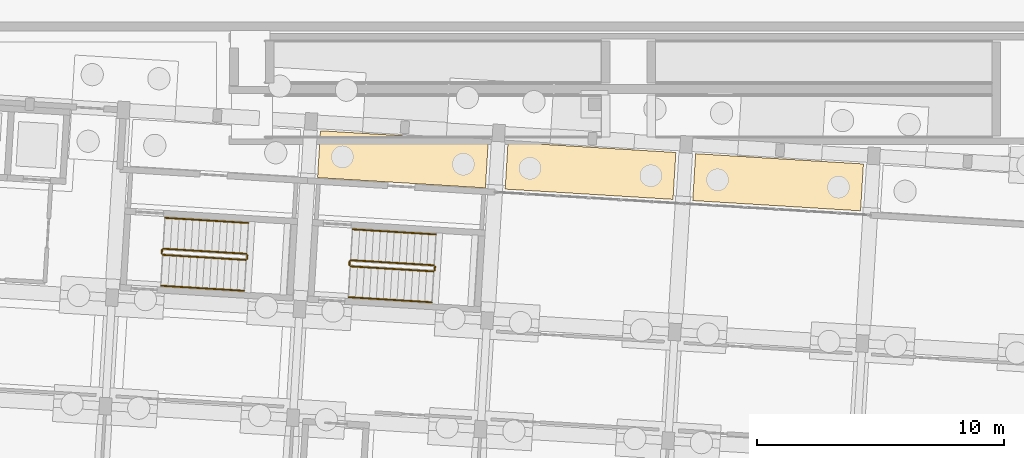
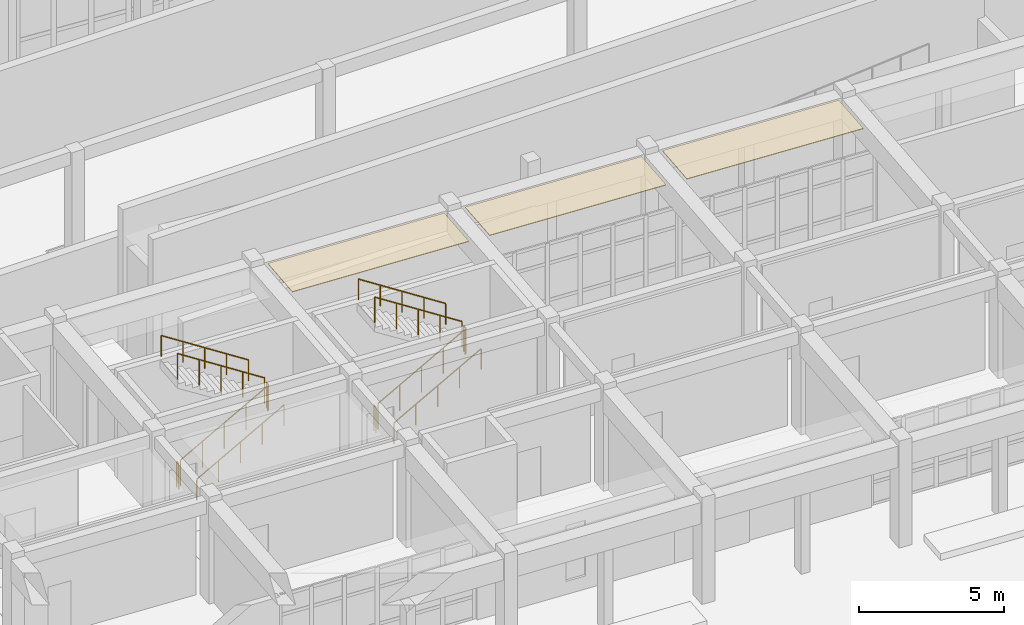
# One storey, part 144 of 154: 12 railings, 3 coverings.
"""IFC4 building model written with IfcOpenShell, lengths in metres."""

from ifc_helpers import new_model, si_unit, direction, frame, origin, origin_2d, place, context, subcontext, project, spatial, rectangle, circle, extrude, material, layer, layer_set, type_object, element, save


model = new_model("IFC4")

# Units and contexts
model_context = context("Model", 3, precision=1e-05, world=origin(), true_north=direction((0.0, 1.0)))
body_context = subcontext(model_context, "Body", "Model", "MODEL_VIEW")
ifc_project = project(units=[si_unit("LENGTHUNIT", "METRE"), si_unit("AREAUNIT", "SQUARE_METRE"), si_unit("VOLUMEUNIT", "CUBIC_METRE"), si_unit("PLANEANGLEUNIT", "RADIAN"), si_unit("MASSUNIT", "GRAM", prefix="KILO")], contexts=[model_context])

# Site, building, storey
site_placement = place(None, origin())
site = spatial("IfcSite", under=ifc_project, at=site_placement, CompositionType="ELEMENT")
building_placement = place(site_placement, origin())
building = spatial("IfcBuilding", under=site, at=building_placement, Name="Kestramere Prow Commons", CompositionType="ELEMENT")
storey_placement = place(building_placement, origin())
storey = spatial("IfcBuildingStorey", under=building, at=storey_placement, Name="L00", CompositionType="ELEMENT", Elevation=0.0)

# Coverings
ifc_material_1 = material(Name="Perforated Aluminium Colonnade Soffit Cladding", Category="aluminium")
ifc_layer = layer(ifc_material_1, 0.030029296875)
ifc_layer_set = layer_set([ifc_layer], Name="Perforated Aluminium Colonnade Soffit Cladding")
covering_type = type_object("IfcCoveringType", Name="COV-SOFFIT-ALU", PredefinedType="CLADDING", material=ifc_layer_set)
for number, where, z_axis, x_axis, name in (
    (1, (79.581787109375, 63.60595703125, 4.22021484375), (0.0, 0.0, 1.0), (0.998134798422, -0.061048539535, 0.0), "Block C North Colonnade Soffit Panel 3"),
    (2, (87.16748046875, 63.14208984375, 4.22021484375), (0.0, 0.0, 1.0), (0.998134798422, -0.061048539535, 0.0), "Block C North Colonnade Soffit Panel 4"),
    (3, (94.75341796875, 62.677978515625, 4.22021484375), (0.0, 0.0, 1.0), (0.998134798422, -0.061048539535, 0.0), "Block C North Colonnade Soffit Panel 5"),
):
    element("IfcCovering", number, at=place(storey_placement, frame(where, z_axis=z_axis, x_axis=x_axis)), inside=storey, type_object=covering_type, Name=name, PredefinedType="CLADDING", context=body_context, shape_type="SweptSolid", body=[
        extrude(rectangle(XDim=6.800048828125, YDim=1.89990234375, at=origin_2d()), origin(), (0.0, 0.0, 1.0), 0.030029296875),
    ])

# Railings
ifc_material_2 = material(Name="Galvanised Steel S275JR", Category="steel")
railing_type_1 = type_object("IfcRailingType", Name="RL-ST-GR-1100", PredefinedType="GUARDRAIL", material=ifc_material_2)
railing_1_placement = place(storey_placement, frame((69.877685546875, 59.7412109375, 0.173095703125)))
element("IfcRailing", 4, at=railing_1_placement, inside=storey, type_object=railing_type_1, Name="L00 ST-C1 stair guard 1", PredefinedType="GUARDRAIL", context=body_context, shape_type="SweptSolid", body=[
    extrude(circle(Radius=0.02392578125, at=origin_2d()), frame((0.0, 0.0, 1.076171875), z_axis=(0.849031527735, -0.051917193223, 0.525785193743), x_axis=(0.061034719416, 0.9981356436, 0.0)), (0.0, 0.0, 1.0), 3.9501953125),
    extrude(circle(Radius=0.02099609375, at=origin_2d()), origin(), (0.0, 0.0, 1.0), 1.052001953125),
    extrude(circle(Radius=0.02099609375, at=origin_2d()), frame((0.83837890625, -0.05126953125, 0.519287109375)), (0.0, 0.0, 1.0), 1.052001953125),
    extrude(circle(Radius=0.02099609375, at=origin_2d()), frame((1.6767578125, -0.1025390625, 1.03857421875)), (0.0, 0.0, 1.0), 1.052001953125),
    extrude(circle(Radius=0.02099609375, at=origin_2d()), frame((2.515380859375, -0.15380859375, 1.5576171875)), (0.0, 0.0, 1.0), 1.052001953125),
    extrude(circle(Radius=0.02099609375, at=origin_2d()), frame((3.353759765625, -0.205078125, 2.076904296875)), (0.0, 0.0, 1.0), 1.052001953125),
])
railing_2_placement = place(storey_placement, frame((73.284423828125, 59.582763671875, 2.25)))
element("IfcRailing", 5, at=railing_2_placement, inside=storey, type_object=railing_type_1, Name="L00 ST-C1 stair guard 2", PredefinedType="GUARDRAIL", context=body_context, shape_type="SweptSolid", body=[
    extrude(circle(Radius=0.02392578125, at=origin_2d()), frame((0.0, 0.0, 1.076171875), z_axis=(0.060151470121, 0.998189260933, 0.0), x_axis=(-0.998189260933, 0.060151470121, 0.0)), (0.0, 0.0, 1.0), 0.150146484375),
    extrude(circle(Radius=0.02099609375, at=origin_2d()), origin(), (0.0, 0.0, 1.0), 1.052001953125),
    extrude(circle(Radius=0.02099609375, at=origin_2d()), frame((0.009033203125, 0.14990234375, 0.0)), (0.0, 0.0, 1.0), 1.052001953125),
])
railing_3_placement = place(storey_placement, frame((73.246826171875, 59.78564453125, 2.423095703125)))
element("IfcRailing", 6, at=railing_3_placement, inside=storey, type_object=railing_type_1, Name="L00 ST-C1 stair guard 3", PredefinedType="GUARDRAIL", context=body_context, shape_type="SweptSolid", body=[
    extrude(circle(Radius=0.02392578125, at=origin_2d()), frame((0.0, 0.0, 1.076171875), z_axis=(-0.849031527735, 0.051917193223, 0.525785193743), x_axis=(-0.061034719416, -0.9981356436, 0.0)), (0.0, 0.0, 1.0), 3.9501953125),
    extrude(circle(Radius=0.02099609375, at=origin_2d()), origin(), (0.0, 0.0, 1.0), 1.052001953125),
    extrude(circle(Radius=0.02099609375, at=origin_2d()), frame((-0.83837890625, 0.05126953125, 0.519287109375)), (0.0, 0.0, 1.0), 1.052001953125),
    extrude(circle(Radius=0.02099609375, at=origin_2d()), frame((-1.6767578125, 0.1025390625, 1.03857421875)), (0.0, 0.0, 1.0), 1.052001953125),
    extrude(circle(Radius=0.02099609375, at=origin_2d()), frame((-2.515380859375, 0.15380859375, 1.5576171875)), (0.0, 0.0, 1.0), 1.052001953125),
    extrude(circle(Radius=0.02099609375, at=origin_2d()), frame((-3.353759765625, 0.205078125, 2.076904296875)), (0.0, 0.0, 1.0), 1.052001953125),
])
railing_4_placement = place(storey_placement, frame((69.830810546875, 59.794189453125, 0.0)))
element("IfcRailing", 7, at=railing_4_placement, inside=storey, type_object=railing_type_1, Name="L00 ST-C1 stair guard 4", PredefinedType="GUARDRAIL", context=body_context, shape_type="SweptSolid", body=[
    extrude(circle(Radius=0.02392578125, at=origin_2d()), frame((0.0, 0.0, 1.076171875), z_axis=(0.061871446683, 0.998084126758, 0.0), x_axis=(-0.998084126758, 0.061871446683, 0.0)), (0.0, 0.0, 1.0), 0.14990234375),
    extrude(circle(Radius=0.02099609375, at=origin_2d()), origin(), (0.0, 0.0, 1.0), 1.052001953125),
    extrude(circle(Radius=0.02099609375, at=origin_2d()), frame((0.00927734375, 0.149658203125, 0.0)), (0.0, 0.0, 1.0), 1.052001953125),
])
railing_5_placement = place(storey_placement, frame((77.463623046875, 59.277099609375, 0.173095703125)))
element("IfcRailing", 8, at=railing_5_placement, inside=storey, type_object=railing_type_1, Name="L00 ST-C2 stair guard 1", PredefinedType="GUARDRAIL", context=body_context, shape_type="SweptSolid", body=[
    extrude(circle(Radius=0.02392578125, at=origin_2d()), frame((0.0, 0.0, 1.076171875), z_axis=(0.849031527735, -0.051917193223, 0.525785193743), x_axis=(0.061034719416, 0.9981356436, 0.0)), (0.0, 0.0, 1.0), 3.9501953125),
    extrude(circle(Radius=0.02099609375, at=origin_2d()), origin(), (0.0, 0.0, 1.0), 1.052001953125),
    extrude(circle(Radius=0.02099609375, at=origin_2d()), frame((0.83837890625, -0.05126953125, 0.519287109375)), (0.0, 0.0, 1.0), 1.052001953125),
    extrude(circle(Radius=0.02099609375, at=origin_2d()), frame((1.6767578125, -0.1025390625, 1.03857421875)), (0.0, 0.0, 1.0), 1.052001953125),
    extrude(circle(Radius=0.02099609375, at=origin_2d()), frame((2.515380859375, -0.15380859375, 1.5576171875)), (0.0, 0.0, 1.0), 1.052001953125),
    extrude(circle(Radius=0.02099609375, at=origin_2d()), frame((3.353759765625, -0.205078125, 2.076904296875)), (0.0, 0.0, 1.0), 1.052001953125),
])
railing_6_placement = place(storey_placement, frame((80.8701171875, 59.118896484375, 2.25)))
element("IfcRailing", 9, at=railing_6_placement, inside=storey, type_object=railing_type_1, Name="L00 ST-C2 stair guard 2", PredefinedType="GUARDRAIL", context=body_context, shape_type="SweptSolid", body=[
    extrude(circle(Radius=0.02392578125, at=origin_2d()), frame((0.0, 0.0, 1.076171875), z_axis=(0.061871446683, 0.998084126758, 0.0), x_axis=(-0.998084126758, 0.061871446683, 0.0)), (0.0, 0.0, 1.0), 0.14990234375),
    extrude(circle(Radius=0.02099609375, at=origin_2d()), origin(), (0.0, 0.0, 1.0), 1.052001953125),
    extrude(circle(Radius=0.02099609375, at=origin_2d()), frame((0.00927734375, 0.149658203125, 0.0)), (0.0, 0.0, 1.0), 1.052001953125),
])
railing_7_placement = place(storey_placement, frame((80.83251953125, 59.321533203125, 2.423095703125)))
element("IfcRailing", 10, at=railing_7_placement, inside=storey, type_object=railing_type_1, Name="L00 ST-C2 stair guard 3", PredefinedType="GUARDRAIL", context=body_context, shape_type="SweptSolid", body=[
    extrude(circle(Radius=0.02392578125, at=origin_2d()), frame((0.0, 0.0, 1.076171875), z_axis=(-0.849031527735, 0.051917193223, 0.525785193743), x_axis=(-0.061034719416, -0.9981356436, 0.0)), (0.0, 0.0, 1.0), 3.9501953125),
    extrude(circle(Radius=0.02099609375, at=origin_2d()), origin(), (0.0, 0.0, 1.0), 1.052001953125),
    extrude(circle(Radius=0.02099609375, at=origin_2d()), frame((-0.83837890625, 0.05126953125, 0.519287109375)), (0.0, 0.0, 1.0), 1.052001953125),
    extrude(circle(Radius=0.02099609375, at=origin_2d()), frame((-1.6767578125, 0.1025390625, 1.03857421875)), (0.0, 0.0, 1.0), 1.052001953125),
    extrude(circle(Radius=0.02099609375, at=origin_2d()), frame((-2.515380859375, 0.15380859375, 1.5576171875)), (0.0, 0.0, 1.0), 1.052001953125),
    extrude(circle(Radius=0.02099609375, at=origin_2d()), frame((-3.353759765625, 0.205078125, 2.076904296875)), (0.0, 0.0, 1.0), 1.052001953125),
])
railing_8_placement = place(storey_placement, frame((77.416748046875, 59.330078125, 0.0)))
element("IfcRailing", 11, at=railing_8_placement, inside=storey, type_object=railing_type_1, Name="L00 ST-C2 stair guard 4", PredefinedType="GUARDRAIL", context=body_context, shape_type="SweptSolid", body=[
    extrude(circle(Radius=0.02392578125, at=origin_2d()), frame((0.0, 0.0, 1.076171875), z_axis=(0.060151470121, 0.998189260933, 0.0), x_axis=(-0.998189260933, 0.060151470121, 0.0)), (0.0, 0.0, 1.0), 0.150146484375),
    extrude(circle(Radius=0.02099609375, at=origin_2d()), origin(), (0.0, 0.0, 1.0), 1.052001953125),
    extrude(circle(Radius=0.02099609375, at=origin_2d()), frame((0.009033203125, 0.14990234375, 0.0)), (0.0, 0.0, 1.0), 1.052001953125),
])
ifc_material_3 = material(Name="Stainless Steel 304", Category="steel")
railing_type_2 = type_object("IfcRailingType", Name="RL-ST-HR-900", PredefinedType="HANDRAIL", material=ifc_material_3)
railing_9_placement = place(storey_placement, frame((69.801513671875, 58.493408203125, 0.34619140625)))
element("IfcRailing", 12, at=railing_9_placement, inside=storey, type_object=railing_type_2, Name="L00 ST-C1 stair handrail 1", PredefinedType="HANDRAIL", context=body_context, shape_type="SweptSolid", body=[
    extrude(circle(Radius=0.02392578125, at=origin_2d()), frame((0.0, 0.0, 0.8759765625), z_axis=(0.849014273462, -0.051919917713, 0.525812785697), x_axis=(0.061039146275, 0.998135372894, 0.0)), (0.0, 0.0, 1.0), 3.949951171875),
    extrude(circle(Radius=0.02099609375, at=origin_2d()), origin(), (0.0, 0.0, 1.0), 0.851806640625),
    extrude(circle(Radius=0.02099609375, at=origin_2d()), frame((0.83837890625, -0.05126953125, 0.519287109375)), (0.0, 0.0, 1.0), 0.851806640625),
    extrude(circle(Radius=0.02099609375, at=origin_2d()), frame((1.6767578125, -0.1025390625, 1.03857421875)), (0.0, 0.0, 1.0), 0.851806640625),
    extrude(circle(Radius=0.02099609375, at=origin_2d()), frame((2.51513671875, -0.15380859375, 1.5576171875)), (0.0, 0.0, 1.0), 0.851806640625),
    extrude(circle(Radius=0.02099609375, at=origin_2d()), frame((3.353515625, -0.205078125, 2.076904296875)), (0.0, 0.0, 1.0), 0.851806640625),
])
railing_10_placement = place(storey_placement, frame((73.322998046875, 61.033203125, 2.59619140625)))
element("IfcRailing", 13, at=railing_10_placement, inside=storey, type_object=railing_type_2, Name="L00 ST-C1 stair handrail 2", PredefinedType="HANDRAIL", context=body_context, shape_type="SweptSolid", body=[
    extrude(circle(Radius=0.02392578125, at=origin_2d()), frame((0.0, 0.0, 0.8759765625), z_axis=(-0.849031527735, 0.051917193223, 0.525785193743), x_axis=(-0.061034719416, -0.9981356436, 0.0)), (0.0, 0.0, 1.0), 3.9501953125),
    extrude(circle(Radius=0.02099609375, at=origin_2d()), origin(), (0.0, 0.0, 1.0), 0.851806640625),
    extrude(circle(Radius=0.02099609375, at=origin_2d()), frame((-0.83837890625, 0.05126953125, 0.519287109375)), (0.0, 0.0, 1.0), 0.851806640625),
    extrude(circle(Radius=0.02099609375, at=origin_2d()), frame((-1.6767578125, 0.1025390625, 1.03857421875)), (0.0, 0.0, 1.0), 0.851806640625),
    extrude(circle(Radius=0.02099609375, at=origin_2d()), frame((-2.515380859375, 0.15380859375, 1.5576171875)), (0.0, 0.0, 1.0), 0.851806640625),
    extrude(circle(Radius=0.02099609375, at=origin_2d()), frame((-3.353759765625, 0.205078125, 2.076904296875)), (0.0, 0.0, 1.0), 0.851806640625),
])
railing_11_placement = place(storey_placement, frame((77.38720703125, 58.029541015625, 0.34619140625)))
element("IfcRailing", 14, at=railing_11_placement, inside=storey, type_object=railing_type_2, Name="L00 ST-C2 stair handrail 1", PredefinedType="HANDRAIL", context=body_context, shape_type="SweptSolid", body=[
    extrude(circle(Radius=0.02392578125, at=origin_2d()), frame((0.0, 0.0, 0.8759765625), z_axis=(0.849031527735, -0.051917193223, 0.525785193743), x_axis=(0.061034719416, 0.9981356436, 0.0)), (0.0, 0.0, 1.0), 3.9501953125),
    extrude(circle(Radius=0.02099609375, at=origin_2d()), origin(), (0.0, 0.0, 1.0), 0.851806640625),
    extrude(circle(Radius=0.02099609375, at=origin_2d()), frame((0.83837890625, -0.05126953125, 0.519287109375)), (0.0, 0.0, 1.0), 0.851806640625),
    extrude(circle(Radius=0.02099609375, at=origin_2d()), frame((1.6767578125, -0.1025390625, 1.03857421875)), (0.0, 0.0, 1.0), 0.851806640625),
    extrude(circle(Radius=0.02099609375, at=origin_2d()), frame((2.515380859375, -0.15380859375, 1.5576171875)), (0.0, 0.0, 1.0), 0.851806640625),
    extrude(circle(Radius=0.02099609375, at=origin_2d()), frame((3.353759765625, -0.205078125, 2.076904296875)), (0.0, 0.0, 1.0), 0.851806640625),
])
railing_12_placement = place(storey_placement, frame((80.908935546875, 60.5693359375, 2.59619140625)))
element("IfcRailing", 15, at=railing_12_placement, inside=storey, type_object=railing_type_2, Name="L00 ST-C2 stair handrail 2", PredefinedType="HANDRAIL", context=body_context, shape_type="SweptSolid", body=[
    extrude(circle(Radius=0.02392578125, at=origin_2d()), frame((0.0, 0.0, 0.8759765625), z_axis=(-0.849031527735, 0.051917193223, 0.525785193743), x_axis=(-0.061034719416, -0.9981356436, 0.0)), (0.0, 0.0, 1.0), 3.9501953125),
    extrude(circle(Radius=0.02099609375, at=origin_2d()), origin(), (0.0, 0.0, 1.0), 0.851806640625),
    extrude(circle(Radius=0.02099609375, at=origin_2d()), frame((-0.83837890625, 0.05126953125, 0.519287109375)), (0.0, 0.0, 1.0), 0.851806640625),
    extrude(circle(Radius=0.02099609375, at=origin_2d()), frame((-1.6767578125, 0.1025390625, 1.03857421875)), (0.0, 0.0, 1.0), 0.851806640625),
    extrude(circle(Radius=0.02099609375, at=origin_2d()), frame((-2.515380859375, 0.15380859375, 1.5576171875)), (0.0, 0.0, 1.0), 0.851806640625),
    extrude(circle(Radius=0.02099609375, at=origin_2d()), frame((-3.353759765625, 0.205078125, 2.076904296875)), (0.0, 0.0, 1.0), 0.851806640625),
])

save(model, "model.ifc")
